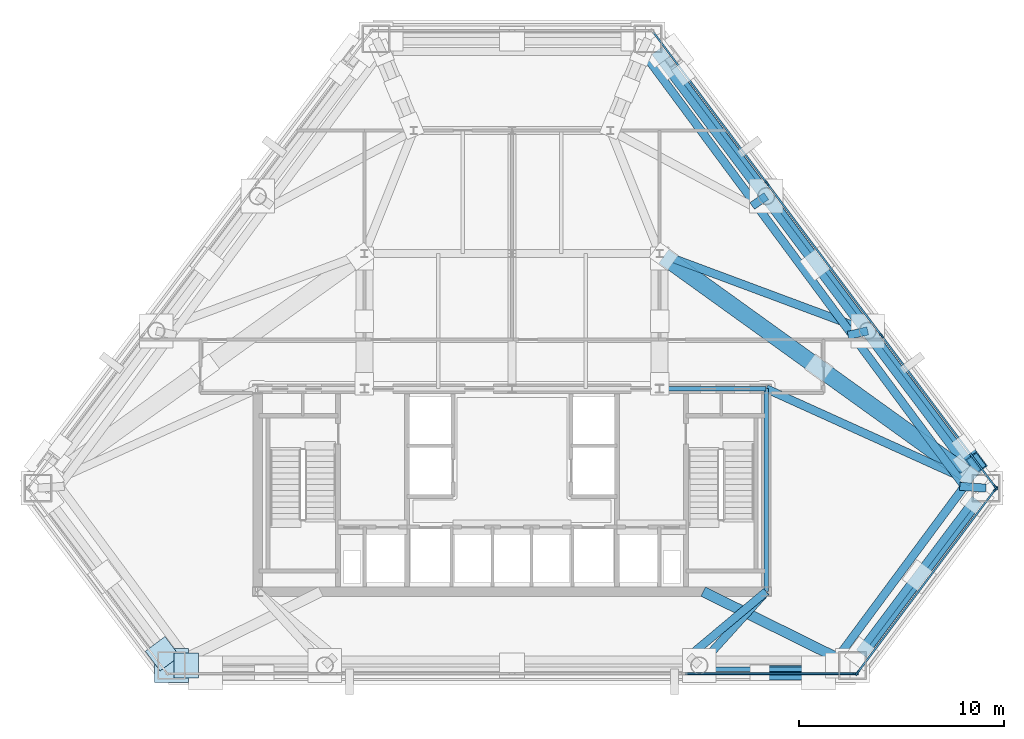
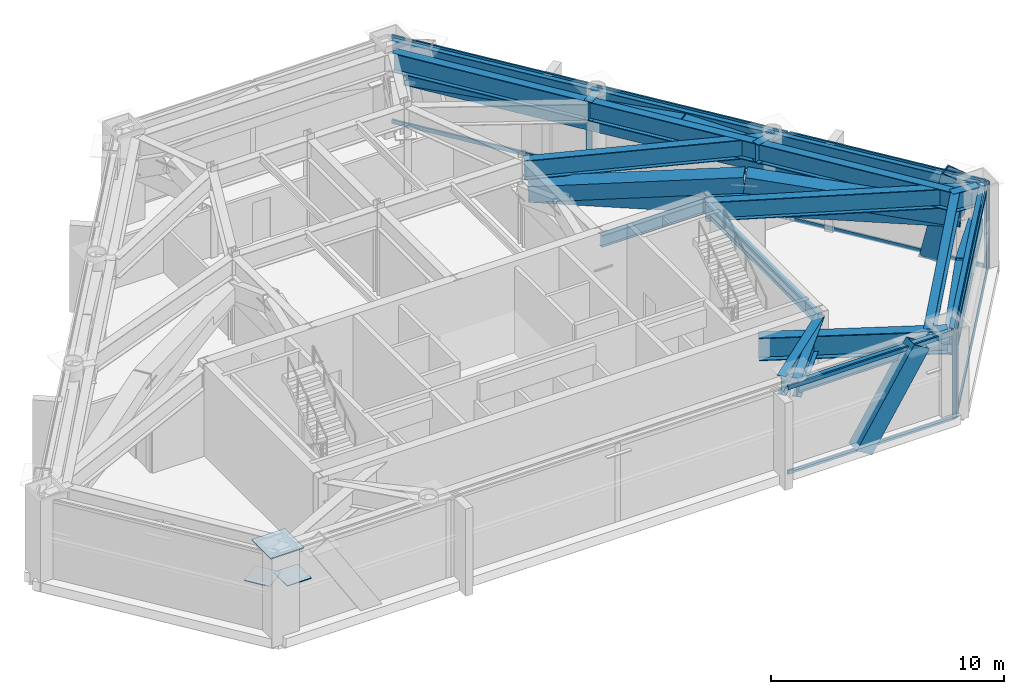
# One storey, part 4 of 9: 27 members, 19 beams, 3 plates, 3 elements without a shape of their own.
"""IFC4 building model written with IfcOpenShell, lengths in metres."""

from ifc_helpers import new_model, si_unit, direction, frame, origin, origin_2d, place, context, subcontext, project, spatial, rectangle, hollow_rectangle, i_section, extrude, material, layer, layer_set, material_profile, profile_set, type_object, element, aggregate, save


model = new_model("IFC4")

# Units and contexts
model_context = context("Model", 3, precision=1e-05, world=origin(), true_north=direction((0.0, 1.0)))
body_context = subcontext(model_context, "Body", "Model", "MODEL_VIEW")
ifc_project = project(units=[si_unit("LENGTHUNIT", "METRE"), si_unit("AREAUNIT", "SQUARE_METRE"), si_unit("VOLUMEUNIT", "CUBIC_METRE"), si_unit("PLANEANGLEUNIT", "RADIAN"), si_unit("MASSUNIT", "GRAM", prefix="KILO")], contexts=[model_context])

# Site, building, storey
site_placement = place(None, origin())
site = spatial("IfcSite", under=ifc_project, at=site_placement, CompositionType="ELEMENT")
building_placement = place(site_placement, origin())
building = spatial("IfcBuilding", under=site, at=building_placement, Name="Talgorran Terracotta Tower", CompositionType="ELEMENT")
storey_placement = place(building_placement, frame((0.0, 0.0, 90.0)))
storey = spatial("IfcBuildingStorey", under=building, at=storey_placement, Name="L23", CompositionType="ELEMENT", Elevation=90.0)

# Beams
ifc_material_1 = material(Name="Steel Grade 350 (350L0)", Category="steel")
ifc_material_profile_1 = material_profile(ifc_material_1, i_section(OverallWidth=0.39990234375, OverallDepth=1.0, WebThickness=0.01611328125, FlangeThickness=0.031005859375, at=origin_2d()), Name="1000WB296")
ifc_profile_set_1 = profile_set([ifc_material_profile_1], Name="Steel Grade 350 (350L0)")
beam_type_1 = type_object("IfcBeamType", Name="BM_1000WB296", PredefinedType="BEAM", material=ifc_profile_set_1)
beam_1_placement = place(storey_placement, frame((12.39990234375, -14.10009765625, 4.02001953125), z_axis=(-0.671276308116, -0.741207203259, 0.0), x_axis=(0.741207203259, -0.671276308116, 0.0)))
element("IfcBeam", 1, at=beam_1_placement, inside=storey, type_object=beam_type_1, Name="L23 South-East Core Tie Beam", PredefinedType="BEAM", context=body_context, shape_type="SweptSolid", body=[
    extrude(i_section(OverallWidth=0.39990234375, OverallDepth=1.0, WebThickness=0.01611328125, FlangeThickness=0.031005859375, at=origin_2d()), origin(), (0.0, 0.0, 1.0), 4.859619140625),
])
beam_2_placement = place(storey_placement, frame((15.84814453125, -17.359375, 4.02001953125), z_axis=(0.595169259298, 0.803600368832, 0.0), x_axis=(-0.803600368832, 0.595169259298, 0.0)))
element("IfcBeam", 2, at=beam_2_placement, inside=storey, type_object=beam_type_1, Name="L23 Setback Inner Spandrel Girder 5", PredefinedType="BEAM", context=body_context, shape_type="SweptSolid", body=[
    extrude(i_section(OverallWidth=0.39990234375, OverallDepth=1.0, WebThickness=0.01611328125, FlangeThickness=0.031005859375, at=origin_2d()), origin(), (0.0, 0.0, 1.0), 10.317138671875),
])
beam_3_placement = place(storey_placement, frame((21.988525390625, -8.8544921875, 4.02001953125), z_axis=(-0.595171471605, 0.80359873033, 0.0), x_axis=(-0.80359873033, -0.595171471605, 0.0)))
element("IfcBeam", 3, at=beam_3_placement, inside=storey, type_object=beam_type_1, Name="L23 Setback Inner Spandrel Girder 6", PredefinedType="BEAM", context=body_context, shape_type="SweptSolid", body=[
    extrude(i_section(OverallWidth=0.39990234375, OverallDepth=1.0, WebThickness=0.01611328125, FlangeThickness=0.031005859375, at=origin_2d()), origin(), (0.0, 0.0, 1.0), 9.162353515625),
])
beam_4_placement = place(storey_placement, frame((16.535400390625, -1.49169921875, 4.02001953125), z_axis=(-0.595164355593, 0.803604000632, 0.0), x_axis=(-0.803604000632, -0.595164355593, 0.0)))
element("IfcBeam", 4, at=beam_4_placement, inside=storey, type_object=beam_type_1, Name="L23 Setback Inner Spandrel Girder 7", PredefinedType="BEAM", context=body_context, shape_type="SweptSolid", body=[
    extrude(i_section(OverallWidth=0.39990234375, OverallDepth=1.0, WebThickness=0.01611328125, FlangeThickness=0.031005859375, at=origin_2d()), origin(), (0.0, 0.0, 1.0), 7.853515625),
])
beam_5_placement = place(storey_placement, frame((11.861328125, 4.8193359375, 4.02001953125), z_axis=(-0.595184216163, 0.803589291137, 0.0), x_axis=(-0.803589291137, -0.595184216163, 0.0)))
element("IfcBeam", 5, at=beam_5_placement, inside=storey, type_object=beam_type_1, Name="L23 Setback Inner Spandrel Girder 8", PredefinedType="BEAM", context=body_context, shape_type="SweptSolid", body=[
    extrude(i_section(OverallWidth=0.39990234375, OverallDepth=1.0, WebThickness=0.01611328125, FlangeThickness=0.031005859375, at=origin_2d()), origin(), (0.0, 0.0, 1.0), 9.162109375),
])
beam_6_placement = place(storey_placement, frame((8.636962890625, -17.252197265625, 4.02001953125), z_axis=(0.766584003148, 0.642144038451, 0.0), x_axis=(-0.642144038451, 0.766584003148, 0.0)))
element("IfcBeam", 6, at=beam_6_placement, inside=storey, type_object=beam_type_1, Name="L23 Perimeter Step Girder 4B", PredefinedType="BEAM", context=body_context, shape_type="SweptSolid", body=[
    extrude(i_section(OverallWidth=0.39990234375, OverallDepth=1.0, WebThickness=0.01611328125, FlangeThickness=0.031005859375, at=origin_2d()), origin(), (0.0, 0.0, 1.0), 4.90869140625),
])
beam_7_placement = place(storey_placement, frame((23.119384765625, -9.0517578125, 4.02001953125), z_axis=(-0.997501168937, 0.070649967938, 0.0), x_axis=(-0.070649967938, -0.997501168937, 0.0)))
element("IfcBeam", 7, at=beam_7_placement, inside=storey, type_object=beam_type_1, Name="L23 Perimeter Step Girder 6A", PredefinedType="BEAM", context=body_context, shape_type="SweptSolid", body=[
    extrude(i_section(OverallWidth=0.39990234375, OverallDepth=1.0, WebThickness=0.01611328125, FlangeThickness=0.031005859375, at=origin_2d()), origin(), (0.0, 0.0, 1.0), 1.278564453125),
])
beam_8_placement = place(storey_placement, frame((17.3505859375, -1.380859375, 4.02001953125), z_axis=(-0.975154782361, -0.221524604591, 0.0), x_axis=(0.221524604591, -0.975154782361, 0.0)))
element("IfcBeam", 8, at=beam_8_placement, inside=storey, type_object=beam_type_1, Name="L23 Perimeter Step Girder 7A", PredefinedType="BEAM", context=body_context, shape_type="SweptSolid", body=[
    extrude(i_section(OverallWidth=0.39990234375, OverallDepth=1.0, WebThickness=0.01611328125, FlangeThickness=0.031005859375, at=origin_2d()), origin(), (0.0, 0.0, 1.0), 0.984130859375),
])
beam_9_placement = place(storey_placement, frame((12.406005859375, 5.194091796875, 4.02001953125), z_axis=(-0.819518222167, -0.573053124533, 0.0), x_axis=(0.573053124533, -0.819518222167, 0.0)))
element("IfcBeam", 9, at=beam_9_placement, inside=storey, type_object=beam_type_1, Name="L23 Perimeter Step Girder 8A", PredefinedType="BEAM", context=body_context, shape_type="SweptSolid", body=[
    extrude(i_section(OverallWidth=0.39990234375, OverallDepth=1.0, WebThickness=0.01611328125, FlangeThickness=0.031005859375, at=origin_2d()), origin(), (0.0, 0.0, 1.0), 0.841064453125),
])
beam_10_placement = place(storey_placement, frame((7.199951171875, 2.39990234375, 4.02001953125), z_axis=(0.93710770278, -0.34904033204, 0.0), x_axis=(0.34904033204, 0.93710770278, 0.0)))
element("IfcBeam", 10, at=beam_10_placement, inside=storey, type_object=beam_type_1, Name="L23 Floor Girder G07", PredefinedType="BEAM", context=body_context, shape_type="SweptSolid", body=[
    extrude(i_section(OverallWidth=0.39990234375, OverallDepth=1.0, WebThickness=0.01611328125, FlangeThickness=0.031005859375, at=origin_2d()), origin(), (0.0, 0.0, 1.0), 10.831787109375),
])
beam_11_placement = place(storey_placement, frame((12.39990234375, -4.199951171875, 4.02001953125), z_axis=(0.911027575062, -0.412345434651, 0.0), x_axis=(0.412345434651, 0.911027575062, 0.0)))
element("IfcBeam", 11, at=beam_11_placement, inside=storey, type_object=beam_type_1, Name="L23 Floor Girder G18", PredefinedType="BEAM", context=body_context, shape_type="SweptSolid", body=[
    extrude(i_section(OverallWidth=0.39990234375, OverallDepth=1.0, WebThickness=0.01611328125, FlangeThickness=0.031005859375, at=origin_2d()), origin(), (0.0, 0.0, 1.0), 11.766357421875),
])
ifc_material_profile_2 = material_profile(ifc_material_1, i_section(OverallWidth=0.5, OverallDepth=1.199951171875, WebThickness=0.01611328125, FlangeThickness=0.035888671875, at=origin_2d()), Name="1200WB392")
ifc_profile_set_2 = profile_set([ifc_material_profile_2], Name="Steel Grade 350 (350L0)")
beam_type_2 = type_object("IfcBeamType", Name="BM_1200WB392", PredefinedType="BEAM", material=ifc_profile_set_2)
beam_12_placement = place(storey_placement, frame((16.61376953125, -17.7021484375, 3.919921875), z_axis=(-0.896430694935, 0.443183945082, 0.0), x_axis=(-0.443183945082, -0.896430694935, 0.0)))
element("IfcBeam", 12, at=beam_12_placement, inside=storey, type_object=beam_type_2, Name="L23 Perimeter Step Girder 5", PredefinedType="BEAM", context=body_context, shape_type="SweptSolid", body=[
    extrude(i_section(OverallWidth=0.5, OverallDepth=1.199951171875, WebThickness=0.01611328125, FlangeThickness=0.035888671875, at=origin_2d()), origin(), (0.0, 0.0, 1.0), 8.127685546875),
])
ifc_material_2 = material(Name="Steel S355 (300PLUS)", Category="steel")
ifc_material_profile_3 = material_profile(ifc_material_2, i_section(OverallWidth=0.22900390625, OverallDepth=0.611572265625, WebThickness=0.011962890625, FlangeThickness=0.01953125, at=origin_2d()), Name="610UB125")
ifc_profile_set_3 = profile_set([ifc_material_profile_3], Name="Steel S355 (300PLUS)")
beam_type_3 = type_object("IfcBeamType", Name="BM_SP_610UB125", PredefinedType="SPANDREL", material=ifc_profile_set_3)
beam_13_placement = place(storey_placement, frame((9.1376953125, -17.882080078125, 4.214111328125), z_axis=(1.0, 0.0, 0.0), x_axis=(0.0, 1.0, 0.0)))
element("IfcBeam", 13, at=beam_13_placement, inside=storey, type_object=beam_type_3, Name="L23 Perimeter Spandrel Beam FC2-MC3", PredefinedType="SPANDREL", context=body_context, shape_type="SweptSolid", body=[
    extrude(i_section(OverallWidth=0.22900390625, OverallDepth=0.611572265625, WebThickness=0.011962890625, FlangeThickness=0.01953125, at=origin_2d()), origin(), (0.0, 0.0, 1.0), 7.47607421875),
])
beam_14_placement = place(storey_placement, frame((16.7578125, -17.810302734375, 4.214111328125), z_axis=(0.601053302012, 0.799208938976, 0.0), x_axis=(-0.799208938976, 0.601053302012, 0.0)))
element("IfcBeam", 14, at=beam_14_placement, inside=storey, type_object=beam_type_3, Name="L23 Perimeter Spandrel Beam MC3-MC4", PredefinedType="SPANDREL", context=body_context, shape_type="SweptSolid", body=[
    extrude(i_section(OverallWidth=0.22900390625, OverallDepth=0.611572265625, WebThickness=0.011962890625, FlangeThickness=0.01953125, at=origin_2d()), origin(), (0.0, 0.0, 1.0), 10.82373046875),
])
beam_15_placement = place(storey_placement, frame((23.263427734375, -8.943603515625, 4.214111328125), z_axis=(-0.601057621452, 0.799205690479, 0.0), x_axis=(-0.799205690479, -0.601057621452, 0.0)))
element("IfcBeam", 15, at=beam_15_placement, inside=storey, type_object=beam_type_3, Name="L23 Perimeter Spandrel Beam MC4-FC3", PredefinedType="SPANDREL", context=body_context, shape_type="SweptSolid", body=[
    extrude(i_section(OverallWidth=0.22900390625, OverallDepth=0.611572265625, WebThickness=0.011962890625, FlangeThickness=0.01953125, at=origin_2d()), origin(), (0.0, 0.0, 1.0), 9.59814453125),
])
beam_16_placement = place(storey_placement, frame((17.494384765625, -1.272705078125, 4.214111328125), z_axis=(-0.601025104516, 0.799230144415, 0.0), x_axis=(-0.799230144415, -0.601025104516, 0.0)))
element("IfcBeam", 16, at=beam_16_placement, inside=storey, type_object=beam_type_3, Name="L23 Perimeter Spandrel Beam FC3-FC4", PredefinedType="SPANDREL", context=body_context, shape_type="SweptSolid", body=[
    extrude(i_section(OverallWidth=0.22900390625, OverallDepth=0.611572265625, WebThickness=0.011962890625, FlangeThickness=0.01953125, at=origin_2d()), origin(), (0.0, 0.0, 1.0), 8.226806640625),
])
beam_17_placement = place(storey_placement, frame((12.5498046875, 5.302490234375, 4.214111328125), z_axis=(-0.601041374216, 0.799217909259, 0.0), x_axis=(-0.799217909259, -0.601041374216, 0.0)))
element("IfcBeam", 17, at=beam_17_placement, inside=storey, type_object=beam_type_3, Name="L23 Perimeter Spandrel Beam FC4-MC5", PredefinedType="SPANDREL", context=body_context, shape_type="SweptSolid", body=[
    extrude(i_section(OverallWidth=0.22900390625, OverallDepth=0.611572265625, WebThickness=0.011962890625, FlangeThickness=0.01953125, at=origin_2d()), origin(), (0.0, 0.0, 1.0), 9.597900390625),
])
beam_18_placement = place(storey_placement, frame((12.39990234375, -14.10009765625, 4.214111328125), z_axis=(0.0, 1.0, 0.0), x_axis=(-1.0, 0.0, 0.0)))
element("IfcBeam", 18, at=beam_18_placement, inside=storey, type_object=beam_type_3, Name="L23 Core Frame Beam CFE", PredefinedType="SPANDREL", context=body_context, shape_type="SweptSolid", body=[
    extrude(i_section(OverallWidth=0.22900390625, OverallDepth=0.611572265625, WebThickness=0.011962890625, FlangeThickness=0.01953125, at=origin_2d()), origin(), (0.0, 0.0, 1.0), 9.900146484375),
])
beam_19_placement = place(storey_placement, frame((7.199951171875, -4.199951171875, 4.214111328125), z_axis=(1.0, 0.0, 0.0), x_axis=(0.0, 1.0, 0.0)))
element("IfcBeam", 19, at=beam_19_placement, inside=storey, type_object=beam_type_3, Name="L23 Core Frame Beam CFN4", PredefinedType="SPANDREL", context=body_context, shape_type="SweptSolid", body=[
    extrude(i_section(OverallWidth=0.22900390625, OverallDepth=0.611572265625, WebThickness=0.011962890625, FlangeThickness=0.01953125, at=origin_2d()), origin(), (0.0, 0.0, 1.0), 5.199951171875),
])

# Members
ifc_material_profile_4 = material_profile(ifc_material_1, hollow_rectangle(XDim=0.6201171875, YDim=0.6201171875, WallThickness=0.034912109375, at=origin_2d()), Name="WBOX620X620X35")
ifc_profile_set_4 = profile_set([ifc_material_profile_4], Name="Steel Grade 350 (350L0)")
member_type_1 = type_object("IfcMemberType", Name="MB_BELT_CHORD", PredefinedType="CHORD", material=ifc_profile_set_4)
member_1_placement = place(storey_placement, frame((17.046630859375, -17.126708984375, 2.919921875), z_axis=(0.601056828096, 0.799206287137, 0.0), x_axis=(-0.799206287137, 0.601056828096, 0.0)))
element("IfcMember", 20, at=member_1_placement, inside=storey, type_object=member_type_1, Name="L23 Belt Truss Chord BT3", PredefinedType="CHORD", context=body_context, shape_type="SweptSolid", body=[
    extrude(hollow_rectangle(XDim=0.6201171875, YDim=0.6201171875, WallThickness=0.034912109375, at=origin_2d()), origin(), (0.0, 0.0, 1.0), 9.3837890625),
])
member_2_placement = place(storey_placement, frame((22.686767578125, -8.476318359375, 2.919921875), z_axis=(-0.601042837029, 0.799216809168, 0.0), x_axis=(-0.799216809168, -0.601042837029, 0.0)))
element("IfcMember", 21, at=member_2_placement, inside=storey, type_object=member_type_1, Name="L23 Belt Truss Chord BT4", PredefinedType="CHORD", context=body_context, shape_type="SweptSolid", body=[
    extrude(hollow_rectangle(XDim=0.6201171875, YDim=0.6201171875, WallThickness=0.034912109375, at=origin_2d()), origin(), (0.0, 0.0, 1.0), 25.983154296875),
])
ifc_material_profile_5 = material_profile(ifc_material_1, hollow_rectangle(XDim=0.6201171875, YDim=0.6201171875, WallThickness=0.034912109375, at=origin_2d()), Name="WBOX620X620X35")
ifc_profile_set_5 = profile_set([ifc_material_profile_5], Name="Steel Grade 350 (350L0)")
member_type_2 = type_object("IfcMemberType", Name="MB_BELT_DIAG", PredefinedType="BRACE", material=ifc_profile_set_5)
for number, where, z_axis, x_axis, name in (
    (22, (17.046630859375, -17.126708984375, 2.919921875), (0.584059567146, 0.776605565907, 0.236131778943), (-0.799206287137, 0.601056828096, 0.0), "L23 Belt Truss Diagonal BT3-1"),
    (23, (19.86669921875, -13.376953125, 4.06005859375), (0.584059567146, 0.776605565907, -0.236131778943), (-0.799206287137, 0.601056828096, 0.0), "L23 Belt Truss Diagonal BT3-2"),
):
    element("IfcMember", number, at=place(storey_placement, frame(where, z_axis=z_axis, x_axis=x_axis)), inside=storey, type_object=member_type_2, Name=name, PredefinedType="BRACE", context=body_context, shape_type="SweptSolid", body=[
        extrude(hollow_rectangle(XDim=0.6201171875, YDim=0.6201171875, WallThickness=0.034912109375, at=origin_2d()), origin(), (0.0, 0.0, 1.0), 4.828369140625),
    ])
for number, where, z_axis, x_axis, name in (
    (24, (22.686767578125, -8.476318359375, 2.919921875), (-0.598747568079, 0.796152304992, 0.087423434934), (-0.799212295608, -0.601048838739, 0.0), "L23 Belt Truss Diagonal BT4-1"),
    (25, (14.878173828125, 1.90673828125, 4.06005859375), (-0.59873555883, 0.796161228824, -0.087424414837), (-0.799221322733, -0.601036835218, 0.0), "L23 Belt Truss Diagonal BT4-2"),
):
    element("IfcMember", number, at=place(storey_placement, frame(where, z_axis=z_axis, x_axis=x_axis)), inside=storey, type_object=member_type_2, Name=name, PredefinedType="BRACE", context=body_context, shape_type="SweptSolid", body=[
        extrude(hollow_rectangle(XDim=0.6201171875, YDim=0.6201171875, WallThickness=0.034912109375, at=origin_2d()), origin(), (0.0, 0.0, 1.0), 13.04150390625),
    ])
ifc_material_profile_6 = material_profile(ifc_material_1, hollow_rectangle(XDim=0.699951171875, YDim=0.89990234375, WallThickness=0.050048828125, at=origin_2d()), Name="WBOX900X700X50")
ifc_profile_set_6 = profile_set([ifc_material_profile_6], Name="Steel Grade 350 (350L0)")
member_type_3 = type_object("IfcMemberType", Name="MB_MEGA_900", PredefinedType="BRACE", material=ifc_profile_set_6)
member_3_placement = place(storey_placement, frame((12.09130859375, -18.062255859375, -0.02490234375), z_axis=(0.52984416764, 0.0, 0.848095017093), x_axis=(0.0, 1.0, 0.0)))
element("IfcMember", 26, at=member_3_placement, inside=storey, type_object=member_type_3, Name="L23 Exterior Face Mega-Brace MB-1 (SEF)", PredefinedType="BRACE", context=body_context, shape_type="SweptSolid", body=[
    extrude(hollow_rectangle(XDim=0.699951171875, YDim=0.89990234375, WallThickness=0.050048828125, at=origin_2d()), origin(), (0.0, 0.0, 1.0), 5.388427734375),
])
member_4_placement = place(storey_placement, frame((22.028564453125, -7.002197265625, -0.02490234375), z_axis=(0.132317239665, -0.175936589645, 0.97546833086), x_axis=(0.79920388083, 0.601060027674, 0.0)))
element("IfcMember", 27, at=member_4_placement, inside=storey, type_object=member_type_3, Name="L23 Exterior Face Mega-Brace MB-1 (NEL)", PredefinedType="BRACE", context=body_context, shape_type="SweptSolid", body=[
    extrude(hollow_rectangle(XDim=0.699951171875, YDim=0.89990234375, WallThickness=0.050048828125, at=origin_2d()), origin(), (0.0, 0.0, 1.0), 4.684814453125),
])
ifc_material_profile_7 = material_profile(ifc_material_1, hollow_rectangle(XDim=0.820068359375, YDim=0.820068359375, WallThickness=0.044921875, at=origin_2d()), Name="WBOX820X820X45")
ifc_profile_set_7 = profile_set([ifc_material_profile_7], Name="Steel Grade 350 (350L0)")
member_type_4 = type_object("IfcMemberType", Name="MB_OUT_CHORD", PredefinedType="CHORD", material=ifc_profile_set_7)
member_5_placement = place(storey_placement, frame((7.40283203125, 2.25390625, 2.919921875), z_axis=(0.811784675444, -0.583956882582, 0.0), x_axis=(0.583956882582, 0.811784675444, 0.0)))
element("IfcMember", 28, at=member_5_placement, inside=storey, type_object=member_type_4, Name="L23 Outrigger Bottom Chord OR4", PredefinedType="CHORD", context=body_context, shape_type="SweptSolid", body=[
    extrude(hollow_rectangle(XDim=0.820068359375, YDim=0.820068359375, WallThickness=0.044921875, at=origin_2d()), origin(), (0.0, 0.0, 1.0), 18.640625),
])
ifc_material_profile_8 = material_profile(ifc_material_1, hollow_rectangle(XDim=0.820068359375, YDim=0.820068359375, WallThickness=0.044921875, at=origin_2d()), Name="WBOX820X820X45")
ifc_profile_set_8 = profile_set([ifc_material_profile_8], Name="Steel Grade 350 (350L0)")
member_type_5 = type_object("IfcMemberType", Name="MB_OUT_DIAG", PredefinedType="BRACE", material=ifc_profile_set_8)
member_6_placement = place(storey_placement, frame((7.40283203125, 2.25390625, 2.919921875), z_axis=(0.805782643983, -0.579629972647, 0.121422508064), x_axis=(0.583950673885, 0.811789141631, 0.0)))
element("IfcMember", 29, at=member_6_placement, inside=storey, type_object=member_type_5, Name="L23 Outrigger Web Diagonal OR4-1", PredefinedType="BRACE", context=body_context, shape_type="SweptSolid", body=[
    extrude(hollow_rectangle(XDim=0.820068359375, YDim=0.820068359375, WallThickness=0.044921875, at=origin_2d()), origin(), (0.0, 0.0, 1.0), 9.389892578125),
])
member_7_placement = place(storey_placement, frame((14.968994140625, -3.188720703125, 4.06005859375), z_axis=(0.805773524936, -0.579642116534, -0.121425051999), x_axis=(0.583963091377, 0.811780209114, 0.0)))
element("IfcMember", 30, at=member_7_placement, inside=storey, type_object=member_type_5, Name="L23 Outrigger Web Diagonal OR4-2", PredefinedType="BRACE", context=body_context, shape_type="SweptSolid", body=[
    extrude(hollow_rectangle(XDim=0.820068359375, YDim=0.820068359375, WallThickness=0.044921875, at=origin_2d()), origin(), (0.0, 0.0, 1.0), 9.3896484375),
])

# Curtain wall, member
ifc_material_3 = material(Name="Anodised Aluminium Louvre", Category="aluminium")
ifc_layer_1 = layer(ifc_material_3, 0.25, Name="CW_SYS4_LOUVRE")
ifc_layer_set_1 = layer_set([ifc_layer_1], Name="Anodised Aluminium Louvre")
curtain_wall_type = type_object("IfcCurtainWallType", Name="CW_SYS4_LOUVRE", PredefinedType="NOTDEFINED", material=ifc_layer_set_1)
curtain_wall_1_placement = place(storey_placement, origin())
curtain_wall_1 = element("IfcCurtainWall", 31, at=curtain_wall_1_placement, inside=storey, type_object=curtain_wall_type, Name="CW-L23-F1", PredefinedType="NOTDEFINED")
ifc_material_4 = material(Name="Architectural Aluminium 6063-T6", Category="aluminium")
ifc_material_profile_9 = material_profile(ifc_material_4, rectangle(XDim=0.0849609375, YDim=0.260009765625, at=origin_2d()), Name="CWM85X260")
ifc_profile_set_9 = profile_set([ifc_material_profile_9], Name="Architectural Aluminium 6063-T6")
member_type_6 = type_object("IfcMemberType", Name="MUL_85X260", PredefinedType="MULLION", material=ifc_profile_set_9)
member_8_placement = place(storey_placement, frame((16.77099609375, -18.102294921875, 0.0), z_axis=(0.0, 0.0, 1.0), x_axis=(0.0, 1.0, 0.0)))
member_8 = element("IfcMember", 32, at=member_8_placement, type_object=member_type_6, Name="CW-L23-1 mullion 5", PredefinedType="MULLION", context=body_context, shape_type="SweptSolid", body=[
    extrude(rectangle(XDim=0.0849609375, YDim=0.260009765625, at=origin_2d()), origin(), (0.0, 0.0, 1.0), 4.52001953125),
])

# Curtain wall, members
curtain_wall_2_placement = place(storey_placement, origin())
curtain_wall_2 = element("IfcCurtainWall", 33, at=curtain_wall_2_placement, inside=storey, type_object=curtain_wall_type, Name="CW-L23-F2", PredefinedType="NOTDEFINED")
member_9_placement = place(storey_placement, frame((16.839111328125, -18.068115234375, 0.0), z_axis=(0.0, 0.0, 1.0), x_axis=(-0.799209855428, 0.601052083423, 0.0)))
member_9 = element("IfcMember", 34, at=member_9_placement, type_object=member_type_6, Name="CW-L23-2 mullion 1", PredefinedType="MULLION", context=body_context, shape_type="SweptSolid", body=[
    extrude(rectangle(XDim=0.0849609375, YDim=0.260009765625, at=origin_2d()), origin(), (0.0, 0.0, 1.0), 4.52001953125),
])
member_10_placement = place(storey_placement, frame((23.594482421875, -9.085693359375, 0.0), z_axis=(0.0, 0.0, 1.0), x_axis=(-0.799209855428, 0.601052083423, 0.0)))
member_10 = element("IfcMember", 35, at=member_10_placement, type_object=member_type_6, Name="CW-L23-2 mullion 2", PredefinedType="MULLION", context=body_context, shape_type="SweptSolid", body=[
    extrude(rectangle(XDim=0.0849609375, YDim=0.260009765625, at=origin_2d()), origin(), (0.0, 0.0, 1.0), 4.52001953125),
])

curtain_wall_3_placement = place(storey_placement, origin())
curtain_wall_3 = element("IfcCurtainWall", 36, at=curtain_wall_3_placement, inside=storey, type_object=curtain_wall_type, Name="CW-L23-F3", PredefinedType="NOTDEFINED")
member_11_placement = place(storey_placement, frame((23.594482421875, -9.017822265625, 0.0), z_axis=(0.0, 0.0, 1.0), x_axis=(-0.799213737843, -0.601046921, 0.0)))
member_11 = element("IfcMember", 37, at=member_11_placement, type_object=member_type_6, Name="CW-L23-3 mullion 1", PredefinedType="MULLION", context=body_context, shape_type="SweptSolid", body=[
    extrude(rectangle(XDim=0.0849609375, YDim=0.260009765625, at=origin_2d()), origin(), (0.0, 0.0, 1.0), 4.52001953125),
])
member_12_placement = place(storey_placement, frame((18.025634765625, -1.61279296875, 0.0), z_axis=(0.0, 0.0, 1.0), x_axis=(-0.799213737843, -0.601046921, 0.0)))
member_12 = element("IfcMember", 38, at=member_12_placement, type_object=member_type_6, Name="CW-L23-3 mullion 2", PredefinedType="MULLION", context=body_context, shape_type="SweptSolid", body=[
    extrude(rectangle(XDim=0.0849609375, YDim=0.260009765625, at=origin_2d()), origin(), (0.0, 0.0, 1.0), 4.52001953125),
])
member_13_placement = place(storey_placement, frame((12.43115234375, 5.826171875, 0.0), z_axis=(0.0, 0.0, 1.0), x_axis=(-0.799213737843, -0.601046921, 0.0)))
member_13 = element("IfcMember", 39, at=member_13_placement, type_object=member_type_6, Name="CW-L23-3 mullion 3", PredefinedType="MULLION", context=body_context, shape_type="SweptSolid", body=[
    extrude(rectangle(XDim=0.0849609375, YDim=0.260009765625, at=origin_2d()), origin(), (0.0, 0.0, 1.0), 4.52001953125),
])

# Member
ifc_material_profile_10 = material_profile(ifc_material_4, rectangle(XDim=0.0849609375, YDim=0.2099609375, at=origin_2d()), Name="CWT85X210")
ifc_profile_set_10 = profile_set([ifc_material_profile_10], Name="Architectural Aluminium 6063-T6")
member_type_7 = type_object("IfcMemberType", Name="TRN_85X210", PredefinedType="USERDEFINED", material=ifc_profile_set_10)
member_14_placement = place(storey_placement, frame((8.44921875, -18.102294921875, 0.04248046875), z_axis=(1.0, 0.0, 0.0), x_axis=(0.0, 1.0, 0.0)))
member_14 = element("IfcMember", 40, at=member_14_placement, type_object=member_type_7, Name="CW-L23-1 transom 4.1", ObjectType="TRANSOM", PredefinedType="USERDEFINED", context=body_context, shape_type="SweptSolid", body=[
    extrude(rectangle(XDim=0.0849609375, YDim=0.2099609375, at=origin_2d()), origin(), (0.0, 0.0, 1.0), 8.279296875),
])

member_15_placement = place(storey_placement, frame((8.44921875, -18.102294921875, 4.4775390625), z_axis=(1.0, 0.0, 0.0), x_axis=(0.0, 1.0, 0.0)))
member_15 = element("IfcMember", 41, at=member_15_placement, type_object=member_type_7, Name="CW-L23-1 transom 4.2", ObjectType="TRANSOM", PredefinedType="USERDEFINED", context=body_context, shape_type="SweptSolid", body=[
    extrude(rectangle(XDim=0.0849609375, YDim=0.2099609375, at=origin_2d()), origin(), (0.0, 0.0, 1.0), 8.279296875),
])

aggregate(curtain_wall_1, [member_8, member_14, member_15])

member_16_placement = place(storey_placement, frame((16.864501953125, -18.0341796875, 0.04248046875), z_axis=(0.601057087513, 0.799206092038, 0.0), x_axis=(-0.799206092038, 0.601057087513, 0.0)))
member_16 = element("IfcMember", 42, at=member_16_placement, type_object=member_type_7, Name="CW-L23-2 transom 1.1", ObjectType="TRANSOM", PredefinedType="USERDEFINED", context=body_context, shape_type="SweptSolid", body=[
    extrude(rectangle(XDim=0.0849609375, YDim=0.2099609375, at=origin_2d()), origin(), (0.0, 0.0, 1.0), 11.154296875),
])

member_17_placement = place(storey_placement, frame((16.864501953125, -18.0341796875, 4.4775390625), z_axis=(0.601057087513, 0.799206092038, 0.0), x_axis=(-0.799206092038, 0.601057087513, 0.0)))
member_17 = element("IfcMember", 43, at=member_17_placement, type_object=member_type_7, Name="CW-L23-2 transom 1.2", ObjectType="TRANSOM", PredefinedType="USERDEFINED", context=body_context, shape_type="SweptSolid", body=[
    extrude(rectangle(XDim=0.0849609375, YDim=0.2099609375, at=origin_2d()), origin(), (0.0, 0.0, 1.0), 11.154296875),
])

aggregate(curtain_wall_2, [member_9, member_10, member_16, member_17])

member_18_placement = place(storey_placement, frame((23.56884765625, -8.98388671875, 0.04248046875), z_axis=(-0.60104195972, 0.799217468938, 0.0), x_axis=(-0.799217468938, -0.60104195972, 0.0)))
member_18 = element("IfcMember", 44, at=member_18_placement, type_object=member_type_7, Name="CW-L23-3 transom 1.1", ObjectType="TRANSOM", PredefinedType="USERDEFINED", context=body_context, shape_type="SweptSolid", body=[
    extrude(rectangle(XDim=0.0849609375, YDim=0.2099609375, at=origin_2d()), origin(), (0.0, 0.0, 1.0), 9.180419921875),
])

member_19_placement = place(storey_placement, frame((23.56884765625, -8.98388671875, 4.4775390625), z_axis=(-0.60104195972, 0.799217468938, 0.0), x_axis=(-0.799217468938, -0.60104195972, 0.0)))
member_19 = element("IfcMember", 45, at=member_19_placement, type_object=member_type_7, Name="CW-L23-3 transom 1.2", ObjectType="TRANSOM", PredefinedType="USERDEFINED", context=body_context, shape_type="SweptSolid", body=[
    extrude(rectangle(XDim=0.0849609375, YDim=0.2099609375, at=origin_2d()), origin(), (0.0, 0.0, 1.0), 9.180419921875),
])

member_20_placement = place(storey_placement, frame((18.0, -1.578857421875, 0.04248046875), z_axis=(-0.601032942494, 0.799224250156, 0.0), x_axis=(-0.799224250156, -0.601032942494, 0.0)))
member_20 = element("IfcMember", 46, at=member_20_placement, type_object=member_type_7, Name="CW-L23-3 transom 2.1", ObjectType="TRANSOM", PredefinedType="USERDEFINED", context=body_context, shape_type="SweptSolid", body=[
    extrude(rectangle(XDim=0.0849609375, YDim=0.2099609375, at=origin_2d()), origin(), (0.0, 0.0, 1.0), 9.222900390625),
])

member_21_placement = place(storey_placement, frame((18.0, -1.578857421875, 4.4775390625), z_axis=(-0.601032942494, 0.799224250156, 0.0), x_axis=(-0.799224250156, -0.601032942494, 0.0)))
member_21 = element("IfcMember", 47, at=member_21_placement, type_object=member_type_7, Name="CW-L23-3 transom 2.2", ObjectType="TRANSOM", PredefinedType="USERDEFINED", context=body_context, shape_type="SweptSolid", body=[
    extrude(rectangle(XDim=0.0849609375, YDim=0.2099609375, at=origin_2d()), origin(), (0.0, 0.0, 1.0), 9.222900390625),
])

member_22_placement = place(storey_placement, frame((12.405517578125, 5.860107421875, 0.04248046875), z_axis=(-0.60104195972, 0.799217468938, 0.0), x_axis=(-0.799217468938, -0.60104195972, 0.0)))
member_22 = element("IfcMember", 48, at=member_22_placement, type_object=member_type_7, Name="CW-L23-3 transom 3.1", ObjectType="TRANSOM", PredefinedType="USERDEFINED", context=body_context, shape_type="SweptSolid", body=[
    extrude(rectangle(XDim=0.0849609375, YDim=0.2099609375, at=origin_2d()), origin(), (0.0, 0.0, 1.0), 9.180419921875),
])

member_23_placement = place(storey_placement, frame((12.405517578125, 5.860107421875, 4.4775390625), z_axis=(-0.60104195972, 0.799217468938, 0.0), x_axis=(-0.799217468938, -0.60104195972, 0.0)))
member_23 = element("IfcMember", 49, at=member_23_placement, type_object=member_type_7, Name="CW-L23-3 transom 3.2", ObjectType="TRANSOM", PredefinedType="USERDEFINED", context=body_context, shape_type="SweptSolid", body=[
    extrude(rectangle(XDim=0.0849609375, YDim=0.2099609375, at=origin_2d()), origin(), (0.0, 0.0, 1.0), 9.180419921875),
])

aggregate(curtain_wall_3, [member_11, member_12, member_13, member_18, member_19, member_20, member_21, member_22, member_23])

# Plates
ifc_layer_2 = layer(ifc_material_1, 0.06005859375, Name="PL_NODE_MN01")
ifc_layer_set_2 = layer_set([ifc_layer_2], Name="Steel Grade 350 (350L0)")
plate_type_1 = type_object("IfcPlateType", Name="PL_NODE_MN01", PredefinedType="USERDEFINED", material=ifc_layer_set_2)
plate_placement = place(storey_placement, frame((-16.61376953125, -17.7021484375, 4.784912109375), z_axis=(0.0, 0.0, 1.0), x_axis=(1.0, 0.0, 0.0)))
element("IfcPlate", 50, at=plate_placement, inside=storey, type_object=plate_type_1, Name="L23 Mega-Column Cap Plate MC2", ObjectType="NODE PLATE", PredefinedType="USERDEFINED", context=body_context, shape_type="SweptSolid", body=[
    extrude(rectangle(XDim=1.64990234375, YDim=1.64990234375, at=origin_2d()), origin(), (0.0, 0.0, 1.0), 0.06005859375),
])
ifc_layer_3 = layer(ifc_material_1, 0.044921875, Name="PL_NODE_MN04")
ifc_layer_set_3 = layer_set([ifc_layer_3], Name="Steel Grade 350 (350L0)")
plate_type_2 = type_object("IfcPlateType", Name="PL_NODE_MN04", PredefinedType="USERDEFINED", material=ifc_layer_set_3)
for number, where, z_axis, x_axis, name in (
    (51, (-17.046630859375, -17.126708984375, 2.8974609375), (0.0, 0.0, 1.0), (0.600978364173, -0.79926529125, 0.0), "L23 Belt Node Plate BT1-B"),
    (52, (-15.893798828125, -17.7021484375, 2.8974609375), (0.0, 0.0, 1.0), (1.0, 0.0, 0.0), "L23 Belt Node Plate BT2-A"),
):
    element("IfcPlate", number, at=place(storey_placement, frame(where, z_axis=z_axis, x_axis=x_axis)), inside=storey, type_object=plate_type_2, Name=name, ObjectType="NODE PLATE", PredefinedType="USERDEFINED", context=body_context, shape_type="SweptSolid", body=[
        extrude(rectangle(XDim=1.199951171875, YDim=1.199951171875, at=origin_2d()), origin(), (0.0, 0.0, 1.0), 0.044921875),
    ])

save(model, "model.ifc")
